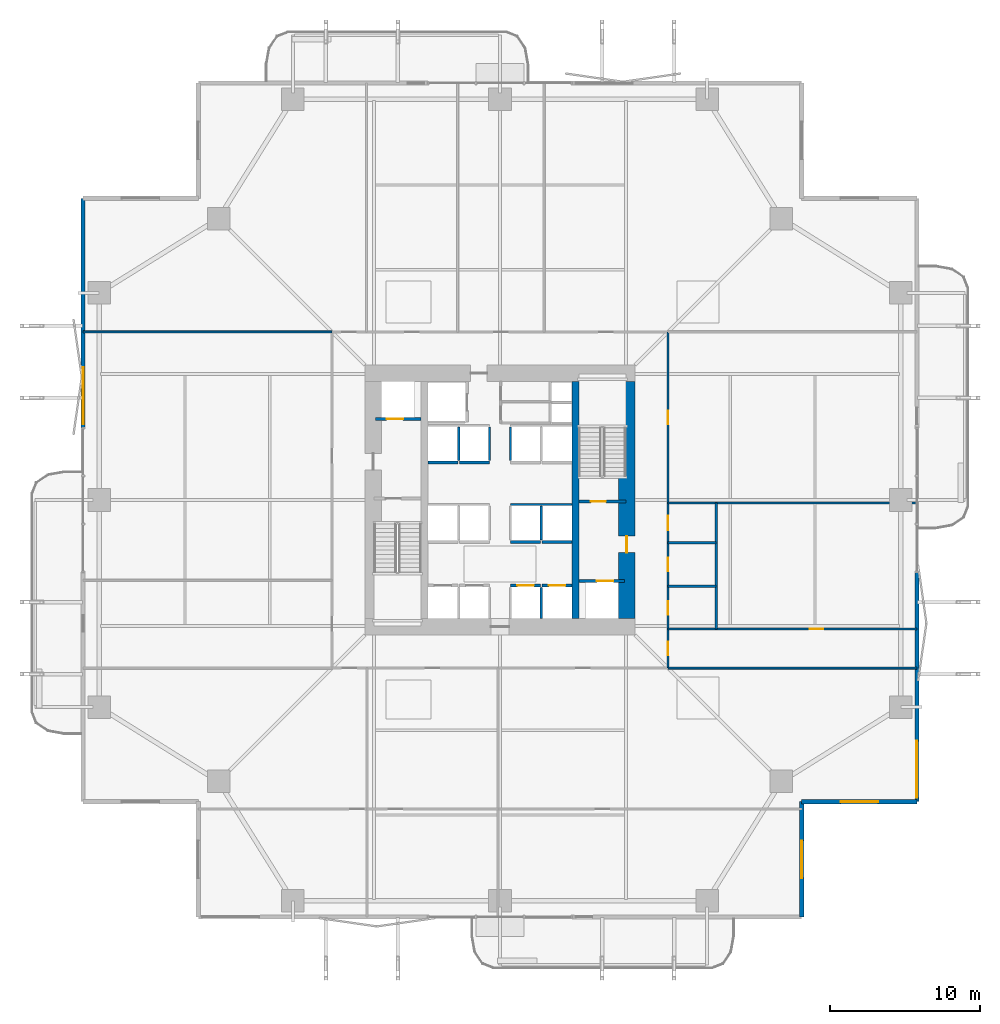
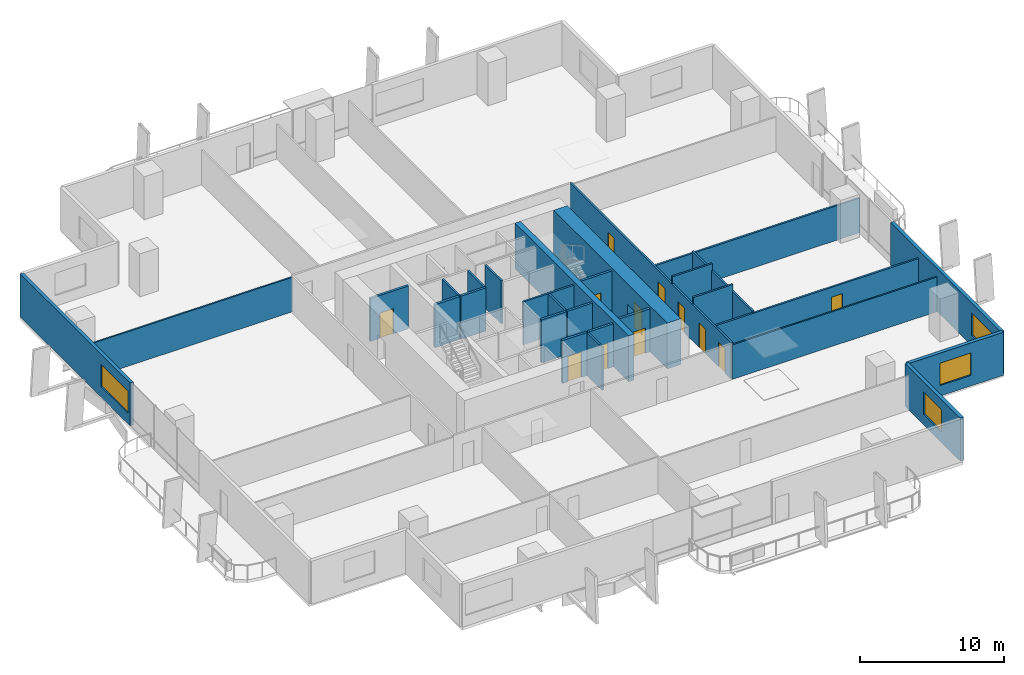
# One storey, part 18 of 24: 29 walls, 12 doors, 4 windows, 16 openings.
"""IFC4 building model written with IfcOpenShell, lengths in metres."""

from ifc_helpers import new_model, si_unit, direction, frame, frame_2d, origin, place, context, subcontext, project, spatial, rectangle, extrude, material, layer, layer_set, type_object, element, fill, save


model = new_model("IFC4")

# Units and contexts
model_context = context("Model", 3, precision=1e-05, world=origin(), true_north=direction((0.0, 1.0)))
body_context = subcontext(model_context, "Body", "Model", "MODEL_VIEW")
ifc_project = project(units=[si_unit("LENGTHUNIT", "METRE"), si_unit("AREAUNIT", "SQUARE_METRE"), si_unit("VOLUMEUNIT", "CUBIC_METRE"), si_unit("PLANEANGLEUNIT", "RADIAN"), si_unit("MASSUNIT", "GRAM", prefix="KILO")], contexts=[model_context])

# Site, building, storey
site_placement = place(None, origin())
site = spatial("IfcSite", under=ifc_project, at=site_placement, CompositionType="ELEMENT")
building_placement = place(site_placement, origin())
building = spatial("IfcBuilding", under=site, at=building_placement, Name="Belovzor Exchange Tower", CompositionType="ELEMENT")
storey_placement = place(building_placement, frame((0.0, 0.0, 33.89990234375)))
storey = spatial("IfcBuildingStorey", under=building, at=storey_placement, Name="L07", CompositionType="ELEMENT", Elevation=33.89990234375)

# Walls
ifc_material_1 = material(Name="Acoustic Plasterboard on Galvanised Studs", Category="gypsum")
ifc_layer_1 = layer(ifc_material_1, 0.1201171875)
ifc_layer_set_1 = layer_set([ifc_layer_1], Name="Acoustic Plasterboard on Galvanised Studs")
wall_type_1 = type_object("IfcWallType", Name="Acoustic Double-Stud Partition Wall 120", PredefinedType="PARTITIONING", material=ifc_layer_set_1)
for number, where, z_axis, x_axis, name in (
    (1, (40.0, 17.60009765625, 0.0), (0.0, 0.0, 1.0), (1.0, 0.0, 0.0), "W-P120 Partition Wall W-L07-END-SE"),
    (2, (1.030029296875, 40.0, 0.0), (0.0, 0.0, 1.0), (1.0, 0.0, 0.0), "W-P120 Partition Wall W-L07-END-NW"),
):
    element("IfcWall", number, at=place(storey_placement, frame(where, z_axis=z_axis, x_axis=x_axis)), inside=storey, type_object=wall_type_1, Name=name, PredefinedType="PARTITIONING", context=body_context, shape_type="SweptSolid", body=[
        extrude(rectangle(XDim=16.570068359375, YDim=0.1201171875, at=frame_2d((8.28515625, 0.0))), origin(), (0.0, 0.0, 1.0), 2.93505859375),
    ])
ifc_material_2 = material(Name="Fire-Rated Gypsum Block and Mineral Wool", Category="gypsum")
ifc_layer_2 = layer(ifc_material_2, 0.14990234375)
ifc_layer_set_2 = layer_set([ifc_layer_2], Name="Fire-Rated Gypsum Block and Mineral Wool")
wall_type_2 = type_object("IfcWallType", Name="Fire-Rated Gypsum Block Corridor Wall 150", PredefinedType="PARTITIONING", material=ifc_layer_set_2)
wall_1_placement = place(storey_placement, frame((43.199951171875, 20.199951171875, 0.0), z_axis=(0.0, 0.0, 1.0), x_axis=(0.0, 1.0, 0.0)))
element("IfcWall", 3, at=wall_1_placement, inside=storey, type_object=wall_type_2, Name="W-P150 Partition Wall W-L07-WCE", PredefinedType="PARTITIONING", context=body_context, shape_type="SweptSolid", body=[
    extrude(rectangle(XDim=8.400146484375, YDim=0.14990234375, at=frame_2d((4.2001953125, 0.0))), origin(), (0.0, 0.0, 1.0), 3.085205078125),
])

# Wall, opening, door
wall_2_placement = place(storey_placement, frame((40.0, 20.199951171875, 0.0), z_axis=(0.0, 0.0, 1.0), x_axis=(1.0, 0.0, 0.0)))
wall_2 = element("IfcWall", 4, at=wall_2_placement, inside=storey, type_object=wall_type_2, Name="W-P150 Partition Wall W-L07-WCS", PredefinedType="PARTITIONING", context=body_context, shape_type="SweptSolid", body=[
    extrude(rectangle(XDim=16.570068359375, YDim=0.14990234375, at=frame_2d((8.28515625, 0.0))), origin(), (0.0, 0.0, 1.0), 2.93505859375),
])
opening_1_placement = place(wall_2_placement, frame((9.43505859375, 0.0, 0.0)))
opening_1 = element("IfcOpeningElement", 5, at=opening_1_placement, cuts=wall_2, Name="Opening D-INT-090", PredefinedType="OPENING", context=body_context, shape_type="SweptSolid", body=[
    extrude(rectangle(XDim=0.89990234375, YDim=2.10009765625, at=frame_2d((0.449951171875, 1.050048828125))), frame((0.0, 0.0849609375, 0.0), z_axis=(0.0, -1.0, 0.0), x_axis=(1.0, 0.0, 0.0)), (0.0, 0.0, 1.0), 0.169921875),
])
ifc_material_3 = material(Name="Veneered Hardwood Acoustic Leaf", Category="wood")
door_type_1 = type_object("IfcDoorType", Name="Trading Suite Acoustic Single Door 900x2100", OperationType="NOTDEFINED", PredefinedType="DOOR", material=ifc_material_3)
door_1_placement = place(opening_1_placement, origin())
door_1 = element("IfcDoor", 6, at=door_1_placement, inside=storey, type_object=door_type_1, Name="D-INT-090 Trading Suite Acoustic Single Door 900x2100", OperationType="SINGLE_SWING_LEFT", OverallHeight=2.10009765625, OverallWidth=0.89990234375, PredefinedType="DOOR", context=body_context, shape_type="SweptSolid", body=[
    extrude(rectangle(XDim=0.89990234375, YDim=2.10009765625, at=frame_2d((0.449951171875, 1.050048828125))), frame((0.0, 0.02490234375, 0.0), z_axis=(0.0, -1.0, 0.0), x_axis=(1.0, 0.0, 0.0)), (0.0, 0.0, 1.0), 0.050048828125),
])
fill(opening_1, door_1)

# Walls
wall_3_placement = place(storey_placement, frame((40.0, 28.60009765625, 0.0), z_axis=(0.0, 0.0, 1.0), x_axis=(1.0, 0.0, 0.0)))
element("IfcWall", 7, at=wall_3_placement, inside=storey, type_object=wall_type_2, Name="W-P150 Partition Wall W-L07-WCN", PredefinedType="PARTITIONING", context=body_context, shape_type="SweptSolid", body=[
    extrude(rectangle(XDim=16.570068359375, YDim=0.14990234375, at=frame_2d((8.28515625, 0.0))), origin(), (0.0, 0.0, 1.0), 2.93505859375),
])
for number, where, z_axis, x_axis, name in (
    (8, (40.0, 23.050048828125, 0.0), (0.0, 0.0, 1.0), (1.0, 0.0, 0.0), "W-P150 Partition Wall W-L07-WCD1"),
    (9, (40.0, 25.949951171875, 0.0), (0.0, 0.0, 1.0), (1.0, 0.0, 0.0), "W-P150 Partition Wall W-L07-WCD2"),
):
    element("IfcWall", number, at=place(storey_placement, frame(where, z_axis=z_axis, x_axis=x_axis)), inside=storey, type_object=wall_type_2, Name=name, PredefinedType="PARTITIONING", context=body_context, shape_type="SweptSolid", body=[
        extrude(rectangle(XDim=3.199951171875, YDim=0.14990234375, at=frame_2d((1.60009765625, 0.0))), origin(), (0.0, 0.0, 1.0), 3.650146484375),
    ])

# Wall, openings, doors
wall_4_placement = place(storey_placement, frame((40.0, 17.60009765625, 0.0), z_axis=(0.0, 0.0, 1.0), x_axis=(0.0, 1.0, 0.0)))
wall_4 = element("IfcWall", 10, at=wall_4_placement, inside=storey, type_object=wall_type_2, Name="W-P150 Partition Wall W-L07-CE", PredefinedType="PARTITIONING", context=body_context, shape_type="SweptSolid", body=[
    extrude(rectangle(XDim=22.39990234375, YDim=0.14990234375, at=frame_2d((11.199951171875, 0.0))), origin(), (0.0, 0.0, 1.0), 3.085205078125),
])
opening_2_placement = place(wall_4_placement, frame((0.85009765625, 0.0, 0.0)))
opening_2 = element("IfcOpeningElement", 11, at=opening_2_placement, cuts=wall_4, Name="Opening D-INT-090", PredefinedType="OPENING", context=body_context, shape_type="SweptSolid", body=[
    extrude(rectangle(XDim=0.89990234375, YDim=2.10009765625, at=frame_2d((0.449951171875, 1.050048828125))), frame((0.0, 0.0849609375, 0.0), z_axis=(0.0, -1.0, 0.0), x_axis=(1.0, 0.0, 0.0)), (0.0, 0.0, 1.0), 0.169921875),
])
opening_3_placement = place(wall_4_placement, frame((3.550048828125, 0.0, 0.0)))
opening_3 = element("IfcOpeningElement", 12, at=opening_3_placement, cuts=wall_4, Name="Opening D-FD60-090", PredefinedType="OPENING", context=body_context, shape_type="SweptSolid", body=[
    extrude(rectangle(XDim=0.89990234375, YDim=2.10009765625, at=frame_2d((0.449951171875, 1.050048828125))), frame((0.0, 0.0849609375, 0.0), z_axis=(0.0, -1.0, 0.0), x_axis=(1.0, 0.0, 0.0)), (0.0, 0.0, 1.0), 0.169921875),
])
opening_4_placement = place(wall_4_placement, frame((6.449951171875, 0.0, 0.0)))
opening_4 = element("IfcOpeningElement", 13, at=opening_4_placement, cuts=wall_4, Name="Opening D-FD60-090", PredefinedType="OPENING", context=body_context, shape_type="SweptSolid", body=[
    extrude(rectangle(XDim=0.89990234375, YDim=2.10009765625, at=frame_2d((0.449951171875, 1.050048828125))), frame((0.0, 0.0849609375, 0.0), z_axis=(0.0, -1.0, 0.0), x_axis=(1.0, 0.0, 0.0)), (0.0, 0.0, 1.0), 0.169921875),
])
opening_5_placement = place(wall_4_placement, frame((9.199951171875, 0.0, 0.0)))
opening_5 = element("IfcOpeningElement", 14, at=opening_5_placement, cuts=wall_4, Name="Opening D-FD60-095", PredefinedType="OPENING", context=body_context, shape_type="SweptSolid", body=[
    extrude(rectangle(XDim=0.949951171875, YDim=2.10009765625, at=frame_2d((0.47509765625, 1.050048828125))), frame((0.0, 0.0849609375, 0.0), z_axis=(0.0, -1.0, 0.0), x_axis=(1.0, 0.0, 0.0)), (0.0, 0.0, 1.0), 0.169921875),
])
opening_6_placement = place(wall_4_placement, frame((16.25, 0.0, 0.0)))
opening_6 = element("IfcOpeningElement", 15, at=opening_6_placement, cuts=wall_4, Name="Opening D-INT-090", PredefinedType="OPENING", context=body_context, shape_type="SweptSolid", body=[
    extrude(rectangle(XDim=0.89990234375, YDim=2.10009765625, at=frame_2d((0.449951171875, 1.050048828125))), frame((0.0, 0.0849609375, 0.0), z_axis=(0.0, -1.0, 0.0), x_axis=(1.0, 0.0, 0.0)), (0.0, 0.0, 1.0), 0.169921875),
])
ifc_material_4 = material(Name="Moisture-Resistant Timber Fire Leaf", Category="wood")
door_type_2 = type_object("IfcDoorType", Name="Accessible Restroom Wide Fire Door 950x2100", OperationType="NOTDEFINED", PredefinedType="DOOR", material=ifc_material_4)
door_2_placement = place(opening_5_placement, origin())
door_2 = element("IfcDoor", 16, at=door_2_placement, inside=storey, type_object=door_type_2, Name="D-FD60-095 Accessible Restroom Wide Fire Door 950x2100", OperationType="SINGLE_SWING_LEFT", OverallHeight=2.10009765625, OverallWidth=0.949951171875, PredefinedType="DOOR", context=body_context, shape_type="SweptSolid", body=[
    extrude(rectangle(XDim=0.949951171875, YDim=2.10009765625, at=frame_2d((0.47509765625, 1.050048828125))), frame((0.0, 0.02490234375, 0.0), z_axis=(0.0, -1.0, 0.0), x_axis=(1.0, 0.0, 0.0)), (0.0, 0.0, 1.0), 0.050048828125),
])
fill(opening_5, door_2)
ifc_material_5 = material(Name="Acoustic Timber Fire Leaf", Category="wood")
door_type_3 = type_object("IfcDoorType", Name="Core Service & Restroom Fire Door 900x2100", OperationType="NOTDEFINED", PredefinedType="DOOR", material=ifc_material_5)
door_3_placement = place(opening_3_placement, origin())
door_3 = element("IfcDoor", 17, at=door_3_placement, inside=storey, type_object=door_type_3, Name="D-FD60-090 Core Service & Restroom Fire Door 900x2100", OperationType="SINGLE_SWING_LEFT", OverallHeight=2.10009765625, OverallWidth=0.89990234375, PredefinedType="DOOR", context=body_context, shape_type="SweptSolid", body=[
    extrude(rectangle(XDim=0.89990234375, YDim=2.10009765625, at=frame_2d((0.449951171875, 1.050048828125))), frame((0.0, 0.02490234375, 0.0), z_axis=(0.0, -1.0, 0.0), x_axis=(1.0, 0.0, 0.0)), (0.0, 0.0, 1.0), 0.050048828125),
])
fill(opening_3, door_3)
door_4_placement = place(opening_4_placement, origin())
door_4 = element("IfcDoor", 18, at=door_4_placement, inside=storey, type_object=door_type_3, Name="D-FD60-090 Core Service & Restroom Fire Door 900x2100", OperationType="SINGLE_SWING_RIGHT", OverallHeight=2.10009765625, OverallWidth=0.89990234375, PredefinedType="DOOR", context=body_context, shape_type="SweptSolid", body=[
    extrude(rectangle(XDim=0.89990234375, YDim=2.10009765625, at=frame_2d((0.449951171875, 1.050048828125))), frame((0.0, 0.02490234375, 0.0), z_axis=(0.0, -1.0, 0.0), x_axis=(1.0, 0.0, 0.0)), (0.0, 0.0, 1.0), 0.050048828125),
])
fill(opening_4, door_4)
door_5_placement = place(opening_2_placement, origin())
door_5 = element("IfcDoor", 19, at=door_5_placement, inside=storey, type_object=door_type_1, Name="D-INT-090 Trading Suite Acoustic Single Door 900x2100", OperationType="SINGLE_SWING_LEFT", OverallHeight=2.10009765625, OverallWidth=0.89990234375, PredefinedType="DOOR", context=body_context, shape_type="SweptSolid", body=[
    extrude(rectangle(XDim=0.89990234375, YDim=2.10009765625, at=frame_2d((0.449951171875, 1.050048828125))), frame((0.0, 0.02490234375, 0.0), z_axis=(0.0, -1.0, 0.0), x_axis=(1.0, 0.0, 0.0)), (0.0, 0.0, 1.0), 0.050048828125),
])
fill(opening_2, door_5)
door_6_placement = place(opening_6_placement, origin())
door_6 = element("IfcDoor", 20, at=door_6_placement, inside=storey, type_object=door_type_1, Name="D-INT-090 Trading Suite Acoustic Single Door 900x2100", OperationType="SINGLE_SWING_RIGHT", OverallHeight=2.10009765625, OverallWidth=0.89990234375, PredefinedType="DOOR", context=body_context, shape_type="SweptSolid", body=[
    extrude(rectangle(XDim=0.89990234375, YDim=2.10009765625, at=frame_2d((0.449951171875, 1.050048828125))), frame((0.0, 0.02490234375, 0.0), z_axis=(0.0, -1.0, 0.0), x_axis=(1.0, 0.0, 0.0)), (0.0, 0.0, 1.0), 0.050048828125),
])
fill(opening_6, door_6)

# Wall, opening, window
ifc_material_6 = material(Name="Precast concrete C40/50", Category="concrete")
ifc_layer_3 = layer(ifc_material_6, 0.280029296875)
ifc_layer_set_3 = layer_set([ifc_layer_3], Name="Precast concrete C40/50")
wall_type_3 = type_object("IfcWallType", Name="Precast Concrete Notched Corner Frame Wall 280", PredefinedType="SOLIDWALL", material=ifc_layer_set_3)
wall_5_placement = place(storey_placement, frame((56.570068359375, 8.699951171875, 0.0), z_axis=(0.0, 0.0, 1.0), x_axis=(-1.0, 0.0, 0.0)))
wall_5 = element("IfcWall", 21, at=wall_5_placement, inside=storey, type_object=wall_type_3, Name="W-CRN280 Precast Concrete Notched Corner Frame Wall 280 L07", PredefinedType="SOLIDWALL", context=body_context, shape_type="SweptSolid", body=[
    extrude(rectangle(XDim=7.670166015625, YDim=0.280029296875, at=frame_2d((3.8349609375, 0.0))), origin(), (0.0, 0.0, 1.0), 3.650146484375),
])
opening_7_placement = place(wall_5_placement, frame((2.5849609375, 0.0, 0.89990234375)))
opening_7 = element("IfcOpeningElement", 22, at=opening_7_placement, cuts=wall_5, Name="Opening WN-CRN250", PredefinedType="OPENING", context=body_context, shape_type="SweptSolid", body=[
    extrude(rectangle(XDim=2.5, YDim=1.89990234375, at=frame_2d((1.25, 0.949951171875))), frame((0.0, 0.14990234375, 0.0), z_axis=(0.0, -1.0, 0.0), x_axis=(1.0, 0.0, 0.0)), (0.0, 0.0, 1.0), 0.300048828125),
])
ifc_material_7 = material(Name="Thermally Broken Aluminium and Triple Glazing", Category="aluminium")
window_type_1 = type_object("IfcWindowType", Name="Streamline Moderne Corner Wrap Ribbon Window 2500x1900", PartitioningType="SINGLE_PANEL", PredefinedType="WINDOW", material=ifc_material_7)
window_1_placement = place(opening_7_placement, origin())
window_1 = element("IfcWindow", 23, at=window_1_placement, inside=storey, type_object=window_type_1, Name="WN-CRN250 Streamline Moderne Corner Wrap Ribbon Window 2500x1900", OverallHeight=1.89990234375, OverallWidth=2.5, PartitioningType="SINGLE_PANEL", PredefinedType="WINDOW", context=body_context, shape_type="SweptSolid", body=[
    extrude(rectangle(XDim=2.5, YDim=1.89990234375, at=frame_2d((1.25, 0.949951171875))), frame((0.0, 0.030029296875, 0.0), z_axis=(0.0, -1.0, 0.0), x_axis=(1.0, 0.0, 0.0)), (0.0, 0.0, 1.0), 0.06005859375),
])
fill(opening_7, window_1)

wall_6_placement = place(storey_placement, frame((48.89990234375, 8.699951171875, 0.0), z_axis=(0.0, 0.0, 1.0), x_axis=(0.0, -1.0, 0.0)))
wall_6 = element("IfcWall", 24, at=wall_6_placement, inside=storey, type_object=wall_type_3, Name="W-CRN280 Precast Concrete Notched Corner Frame Wall 280 L07", PredefinedType="SOLIDWALL", context=body_context, shape_type="SweptSolid", body=[
    extrude(rectangle(XDim=7.669921875, YDim=0.280029296875, at=frame_2d((3.8349609375, 0.0))), origin(), (0.0, 0.0, 1.0), 3.650146484375),
])
opening_8_placement = place(wall_6_placement, frame((2.5849609375, 0.0, 0.89990234375)))
opening_8 = element("IfcOpeningElement", 25, at=opening_8_placement, cuts=wall_6, Name="Opening WN-CRN250", PredefinedType="OPENING", context=body_context, shape_type="SweptSolid", body=[
    extrude(rectangle(XDim=2.5, YDim=1.89990234375, at=frame_2d((1.25, 0.949951171875))), frame((0.0, 0.14990234375, 0.0), z_axis=(0.0, -1.0, 0.0), x_axis=(1.0, 0.0, 0.0)), (0.0, 0.0, 1.0), 0.300048828125),
])
window_2_placement = place(opening_8_placement, origin())
window_2 = element("IfcWindow", 26, at=window_2_placement, inside=storey, type_object=window_type_1, Name="WN-CRN250 Streamline Moderne Corner Wrap Ribbon Window 2500x1900", OverallHeight=1.89990234375, OverallWidth=2.5, PartitioningType="SINGLE_PANEL", PredefinedType="WINDOW", context=body_context, shape_type="SweptSolid", body=[
    extrude(rectangle(XDim=2.5, YDim=1.89990234375, at=frame_2d((1.25, 0.949951171875))), frame((0.0, 0.030029296875, 0.0), z_axis=(0.0, -1.0, 0.0), x_axis=(1.0, 0.0, 0.0)), (0.0, 0.0, 1.0), 0.06005859375),
])
fill(opening_8, window_2)

ifc_material_8 = material(Name="Precast concrete C40/50", Category="concrete")
ifc_layer_4 = layer(ifc_material_8, 0.260009765625)
ifc_layer_set_4 = layer_set([ifc_layer_4], Name="Precast concrete C40/50")
wall_type_4 = type_object("IfcWallType", Name="Precast Concrete Perimeter Loggia Frame Wall 260", PredefinedType="SOLIDWALL", material=ifc_layer_set_4)
wall_7_placement = place(storey_placement, frame((1.030029296875, 33.60009765625, 0.0), z_axis=(0.0, 0.0, 1.0), x_axis=(0.0, 1.0, 0.0)))
wall_7 = element("IfcWall", 27, at=wall_7_placement, inside=storey, type_object=wall_type_4, Name="W-EXT260 Precast Concrete Perimeter Loggia Frame Wall 260 L07", PredefinedType="SOLIDWALL", context=body_context, shape_type="SweptSolid", body=[
    extrude(rectangle(XDim=15.2998046875, YDim=0.260009765625, at=frame_2d((7.64990234375, 0.0))), origin(), (0.0, 0.0, 1.0), 3.650146484375),
])
opening_9_placement = place(wall_7_placement, frame((0.25, 0.0, 0.89990234375)))
opening_9 = element("IfcOpeningElement", 28, at=opening_9_placement, cuts=wall_7, Name="Opening WN-RIB380", PredefinedType="OPENING", context=body_context, shape_type="SweptSolid", body=[
    extrude(rectangle(XDim=3.800048828125, YDim=1.89990234375, at=frame_2d((1.89990234375, 0.949951171875))), frame((0.0, 0.139892578125, 0.0), z_axis=(0.0, -1.0, 0.0), x_axis=(1.0, 0.0, 0.0)), (0.0, 0.0, 1.0), 0.280029296875),
])
ifc_material_9 = material(Name="Thermally Broken Aluminium and Triple Glazing", Category="aluminium")
window_type_2 = type_object("IfcWindowType", Name="Streamline Moderne Horizontal Ribbon Window 3800x1900", PartitioningType="SINGLE_PANEL", PredefinedType="WINDOW", material=ifc_material_9)
window_3_placement = place(opening_9_placement, origin())
window_3 = element("IfcWindow", 29, at=window_3_placement, inside=storey, type_object=window_type_2, Name="WN-RIB380 Streamline Moderne Horizontal Ribbon Window 3800x1900", OverallHeight=1.89990234375, OverallWidth=3.800048828125, PartitioningType="SINGLE_PANEL", PredefinedType="WINDOW", context=body_context, shape_type="SweptSolid", body=[
    extrude(rectangle(XDim=3.800048828125, YDim=1.89990234375, at=frame_2d((1.89990234375, 0.949951171875))), frame((0.0, 0.030029296875, 0.0), z_axis=(0.0, -1.0, 0.0), x_axis=(1.0, 0.0, 0.0)), (0.0, 0.0, 1.0), 0.06005859375),
])
fill(opening_9, window_3)

wall_8_placement = place(storey_placement, frame((56.570068359375, 24.0, 0.0), z_axis=(0.0, 0.0, 1.0), x_axis=(0.0, -1.0, 0.0)))
wall_8 = element("IfcWall", 30, at=wall_8_placement, inside=storey, type_object=wall_type_4, Name="W-EXT260 Precast Concrete Perimeter Loggia Frame Wall 260 L07", PredefinedType="SOLIDWALL", context=body_context, shape_type="SweptSolid", body=[
    extrude(rectangle(XDim=15.300048828125, YDim=0.260009765625, at=frame_2d((7.64990234375, 0.0))), origin(), (0.0, 0.0, 1.0), 3.650146484375),
])
opening_10_placement = place(wall_8_placement, frame((11.25, 0.0, 0.89990234375)))
opening_10 = element("IfcOpeningElement", 31, at=opening_10_placement, cuts=wall_8, Name="Opening WN-RIB380", PredefinedType="OPENING", context=body_context, shape_type="SweptSolid", body=[
    extrude(rectangle(XDim=3.800048828125, YDim=1.89990234375, at=frame_2d((1.89990234375, 0.949951171875))), frame((0.0, 0.139892578125, 0.0), z_axis=(0.0, -1.0, 0.0), x_axis=(1.0, 0.0, 0.0)), (0.0, 0.0, 1.0), 0.280029296875),
])
window_4_placement = place(opening_10_placement, origin())
window_4 = element("IfcWindow", 32, at=window_4_placement, inside=storey, type_object=window_type_2, Name="WN-RIB380 Streamline Moderne Horizontal Ribbon Window 3800x1900", OverallHeight=1.89990234375, OverallWidth=3.800048828125, PartitioningType="SINGLE_PANEL", PredefinedType="WINDOW", context=body_context, shape_type="SweptSolid", body=[
    extrude(rectangle(XDim=3.800048828125, YDim=1.89990234375, at=frame_2d((1.89990234375, 0.949951171875))), frame((0.0, 0.030029296875, 0.0), z_axis=(0.0, -1.0, 0.0), x_axis=(1.0, 0.0, 0.0)), (0.0, 0.0, 1.0), 0.06005859375),
])
fill(opening_10, window_4)

# Walls
ifc_material_10 = material(Name="Concrete C50/60", Category="concrete")
ifc_layer_5 = layer(ifc_material_10, 0.449951171875)
ifc_layer_set_5 = layer_set([ifc_layer_5], Name="Concrete C50/60")
wall_type_5 = type_object("IfcWallType", Name="Reinforced Concrete Core Internal Web Wall 450", PredefinedType="SHEAR", material=ifc_layer_set_5)
wall_9_placement = place(storey_placement, frame((33.824951171875, 20.89990234375, 0.0), z_axis=(0.0, 0.0, 1.0), x_axis=(0.0, 1.0, 0.0)))
element("IfcWall", 33, at=wall_9_placement, inside=storey, type_object=wall_type_5, Name="CW-W045 Core Internal Web Wall L07 ER", PredefinedType="SHEAR", context=body_context, shape_type="SweptSolid", body=[
    extrude(rectangle(XDim=15.800048828125, YDim=0.449951171875, at=frame_2d((7.89990234375, 0.0))), origin(), (0.0, 0.0, 1.0), 3.900146484375),
])
ifc_material_11 = material(Name="Concrete C50/60", Category="concrete")
ifc_layer_6 = layer(ifc_material_11, 0.14990234375)
ifc_layer_set_6 = layer_set([ifc_layer_6], Name="Concrete C50/60")
wall_type_6 = type_object("IfcWallType", Name="Reinforced Concrete Core Riser Shear Wall 150", PredefinedType="SHEAR", material=ifc_layer_set_6)
wall_10_placement = place(storey_placement, frame((31.550048828125, 20.919921875, 0.0), z_axis=(0.0, 0.0, 1.0), x_axis=(0.0, 1.0, 0.0)))
element("IfcWall", 34, at=wall_10_placement, inside=storey, type_object=wall_type_6, Name="W-C150S Core Shaft Wall W-SHD-L07-PLL-4", PredefinedType="SHEAR", context=body_context, shape_type="SweptSolid", body=[
    extrude(rectangle(XDim=2.06005859375, YDim=0.14990234375, at=frame_2d((1.030029296875, 0.0))), origin(), (0.0, 0.0, 1.0), 3.650146484375),
])
wall_11_placement = place(storey_placement, frame((29.5, 28.5, 0.0), z_axis=(0.0, 0.0, 1.0), x_axis=(1.0, 0.0, 0.0)))
element("IfcWall", 35, at=wall_11_placement, inside=storey, type_object=wall_type_6, Name="W-C150S Core Shaft Wall W-SHB-L07-PLM-NE", PredefinedType="SHEAR", context=body_context, shape_type="SweptSolid", body=[
    extrude(rectangle(XDim=4.080078125, YDim=0.14990234375, at=frame_2d((2.0400390625, 0.0))), origin(), (0.0, 0.0, 1.0), 3.650146484375),
])
wall_12_placement = place(storey_placement, frame((31.550048828125, 26.1201171875, 0.0), z_axis=(0.0, 0.0, 1.0), x_axis=(0.0, 1.0, 0.0)))
element("IfcWall", 36, at=wall_12_placement, inside=storey, type_object=wall_type_6, Name="W-C150S Core Shaft Wall W-SHD-L07-PLM-4", PredefinedType="SHEAR", context=body_context, shape_type="SweptSolid", body=[
    extrude(rectangle(XDim=2.27978515625, YDim=0.14990234375, at=frame_2d((1.139892578125, 0.0))), origin(), (0.0, 0.0, 1.0), 3.650146484375),
])
for number, where, z_axis, x_axis, name in (
    (37, (26.050048828125, 31.419921875, 0.0), (0.0, 0.0, 1.0), (0.0, 1.0, 0.0), "W-C150S Core Shaft Wall W-SHD-L07-PLH-1"),
    (38, (28.10009765625, 31.419921875, 0.0), (0.0, 0.0, 1.0), (0.0, 1.0, 0.0), "W-C150S Core Shaft Wall W-SHD-L07-PLH-2"),
    (39, (29.5, 31.419921875, 0.0), (0.0, 0.0, 1.0), (0.0, 1.0, 0.0), "W-C150S Core Shaft Wall W-SHD-L07-PLH-3"),
):
    element("IfcWall", number, at=place(storey_placement, frame(where, z_axis=z_axis, x_axis=x_axis)), inside=storey, type_object=wall_type_6, Name=name, PredefinedType="SHEAR", context=body_context, shape_type="SweptSolid", body=[
        extrude(rectangle(XDim=2.239990234375, YDim=0.14990234375, at=frame_2d((1.1201171875, 0.0))), origin(), (0.0, 0.0, 1.0), 3.650146484375),
    ])

# Wall, opening, door
ifc_material_12 = material(Name="Concrete C50/60", Category="concrete")
ifc_layer_7 = layer(ifc_material_12, 0.199951171875)
ifc_layer_set_7 = layer_set([ifc_layer_7], Name="Concrete C50/60")
wall_type_7 = type_object("IfcWallType", Name="Reinforced Concrete Core Shaft Shear Wall 200", PredefinedType="SHEAR", material=ifc_layer_set_7)
wall_13_placement = place(storey_placement, frame((34.050048828125, 28.699951171875, 0.0), z_axis=(0.0, 0.0, 1.0), x_axis=(1.0, 0.0, 0.0)))
wall_13 = element("IfcWall", 40, at=wall_13_placement, inside=storey, type_object=wall_type_7, Name="W-C200S Core Shaft Wall W-CORE-L07-FFLE2", PredefinedType="SHEAR", context=body_context, shape_type="SweptSolid", body=[
    extrude(rectangle(XDim=3.14990234375, YDim=0.199951171875, at=frame_2d((1.574951171875, 0.0))), origin(), (0.0, 0.0, 1.0), 3.650146484375),
])
opening_11_placement = place(wall_13_placement, frame((0.800048828125, 0.0, 0.0)))
opening_11 = element("IfcOpeningElement", 41, at=opening_11_placement, cuts=wall_13, Name="Opening D-FD90-100", PredefinedType="OPENING", context=body_context, shape_type="SweptSolid", body=[
    extrude(rectangle(XDim=1.0, YDim=2.10009765625, at=frame_2d((0.5, 1.050048828125))), frame((0.0, 0.10986328125, 0.0), z_axis=(0.0, -1.0, 0.0), x_axis=(1.0, 0.0, 0.0)), (0.0, 0.0, 1.0), 0.219970703125),
])
ifc_material_13 = material(Name="Fire-Rated Galvanised Steel Leaf", Category="steel")
door_type_4 = type_object("IfcDoorType", Name="Protected Stairwell Single Fire Door 1000x2100", OperationType="NOTDEFINED", PredefinedType="DOOR", material=ifc_material_13)
door_7_placement = place(opening_11_placement, origin())
door_7 = element("IfcDoor", 42, at=door_7_placement, inside=storey, type_object=door_type_4, Name="D-FD90-100 Protected Stairwell Single Fire Door 1000x2100", OperationType="SINGLE_SWING_LEFT", OverallHeight=2.10009765625, OverallWidth=1.0, PredefinedType="DOOR", context=body_context, shape_type="SweptSolid", body=[
    extrude(rectangle(XDim=1.0, YDim=2.10009765625, at=frame_2d((0.5, 1.050048828125))), frame((0.0, 0.02490234375, 0.0), z_axis=(0.0, -1.0, 0.0), x_axis=(1.0, 0.0, 0.0)), (0.0, 0.0, 1.0), 0.050048828125),
])
fill(opening_11, door_7)

wall_14_placement = place(storey_placement, frame((20.5, 34.199951171875, 0.0), z_axis=(0.0, 0.0, 1.0), x_axis=(1.0, 0.0, 0.0)))
wall_14 = element("IfcWall", 43, at=wall_14_placement, inside=storey, type_object=wall_type_7, Name="W-C200S Core Shaft Wall W-SH-L07-FFL-01", PredefinedType="SHEAR", context=body_context, shape_type="SweptSolid", body=[
    extrude(rectangle(XDim=3.050048828125, YDim=0.199951171875, at=frame_2d((1.52490234375, 0.0))), origin(), (0.0, 0.0, 1.0), 3.650146484375),
])
opening_12_placement = place(wall_14_placement, frame((0.75, 0.0, 0.0)))
opening_12 = element("IfcOpeningElement", 44, at=opening_12_placement, cuts=wall_14, Name="Opening LD-110", PredefinedType="OPENING", context=body_context, shape_type="SweptSolid", body=[
    extrude(rectangle(XDim=1.10009765625, YDim=2.14990234375, at=frame_2d((0.550048828125, 1.074951171875))), frame((0.0, 0.10986328125, 0.0), z_axis=(0.0, -1.0, 0.0), x_axis=(1.0, 0.0, 0.0)), (0.0, 0.0, 1.0), 0.219970703125),
])
ifc_material_14 = material(Name="Stainless Steel Grade 304", Category="steel")
door_type_5 = type_object("IfcDoorType", Name="Automated Stainless Steel Lift Landing Door 1100x2150", OperationType="SLIDING_TO_RIGHT", PredefinedType="DOOR", material=ifc_material_14)
door_8_placement = place(opening_12_placement, origin())
door_8 = element("IfcDoor", 45, at=door_8_placement, inside=storey, type_object=door_type_5, Name="LD-110 Automated Stainless Steel Lift Landing Door 1100x2150", OperationType="SLIDING_TO_RIGHT", OverallHeight=2.14990234375, OverallWidth=1.10009765625, PredefinedType="DOOR", context=body_context, shape_type="SweptSolid", body=[
    extrude(rectangle(XDim=1.10009765625, YDim=2.14990234375, at=frame_2d((0.550048828125, 1.074951171875))), frame((0.0, 0.02490234375, 0.0), z_axis=(0.0, -1.0, 0.0), x_axis=(1.0, 0.0, 0.0)), (0.0, 0.0, 1.0), 0.050048828125),
])
fill(opening_12, door_8)

wall_15_placement = place(storey_placement, frame((34.050048828125, 23.39990234375, 0.0), z_axis=(0.0, 0.0, 1.0), x_axis=(1.0, 0.0, 0.0)))
wall_15 = element("IfcWall", 46, at=wall_15_placement, inside=storey, type_object=wall_type_7, Name="W-C200S Core Shaft Wall W-SH-L07-FFL-02", PredefinedType="SHEAR", context=body_context, shape_type="SweptSolid", body=[
    extrude(rectangle(XDim=3.050048828125, YDim=0.199951171875, at=frame_2d((1.52490234375, 0.0))), origin(), (0.0, 0.0, 1.0), 3.650146484375),
])
opening_13_placement = place(wall_15_placement, frame((1.199951171875, 0.0, 0.0)))
opening_13 = element("IfcOpeningElement", 47, at=opening_13_placement, cuts=wall_15, Name="Opening LD-110", PredefinedType="OPENING", context=body_context, shape_type="SweptSolid", body=[
    extrude(rectangle(XDim=1.10009765625, YDim=2.14990234375, at=frame_2d((0.550048828125, 1.074951171875))), frame((0.0, 0.10986328125, 0.0), z_axis=(0.0, -1.0, 0.0), x_axis=(1.0, 0.0, 0.0)), (0.0, 0.0, 1.0), 0.219970703125),
])
door_9_placement = place(opening_13_placement, origin())
door_9 = element("IfcDoor", 48, at=door_9_placement, inside=storey, type_object=door_type_5, Name="LD-110 Automated Stainless Steel Lift Landing Door 1100x2150", OperationType="SLIDING_TO_RIGHT", OverallHeight=2.14990234375, OverallWidth=1.10009765625, PredefinedType="DOOR", context=body_context, shape_type="SweptSolid", body=[
    extrude(rectangle(XDim=1.10009765625, YDim=2.14990234375, at=frame_2d((0.550048828125, 1.074951171875))), frame((0.0, 0.02490234375, 0.0), z_axis=(0.0, -1.0, 0.0), x_axis=(1.0, 0.0, 0.0)), (0.0, 0.0, 1.0), 0.050048828125),
])
fill(opening_13, door_9)

wall_16_placement = place(storey_placement, frame((29.5, 23.10009765625, 0.0), z_axis=(0.0, 0.0, 1.0), x_axis=(1.0, 0.0, 0.0)))
wall_16 = element("IfcWall", 49, at=wall_16_placement, inside=storey, type_object=wall_type_7, Name="W-C200S Core Shaft Wall W-SH-L07-PL-L3", PredefinedType="SHEAR", context=body_context, shape_type="SweptSolid", body=[
    extrude(rectangle(XDim=2.0, YDim=0.199951171875, at=frame_2d((1.0, 0.0))), origin(), (0.0, 0.0, 1.0), 3.650146484375),
])
opening_14_placement = place(wall_16_placement, frame((0.449951171875, 0.0, 0.0)))
opening_14 = element("IfcOpeningElement", 50, at=opening_14_placement, cuts=wall_16, Name="Opening LD-110", PredefinedType="OPENING", context=body_context, shape_type="SweptSolid", body=[
    extrude(rectangle(XDim=1.10009765625, YDim=2.14990234375, at=frame_2d((0.550048828125, 1.074951171875))), frame((0.0, 0.10986328125, 0.0), z_axis=(0.0, -1.0, 0.0), x_axis=(1.0, 0.0, 0.0)), (0.0, 0.0, 1.0), 0.219970703125),
])
door_10_placement = place(opening_14_placement, origin())
door_10 = element("IfcDoor", 51, at=door_10_placement, inside=storey, type_object=door_type_5, Name="LD-110 Automated Stainless Steel Lift Landing Door 1100x2150", OperationType="SLIDING_TO_RIGHT", OverallHeight=2.14990234375, OverallWidth=1.10009765625, PredefinedType="DOOR", context=body_context, shape_type="SweptSolid", body=[
    extrude(rectangle(XDim=1.10009765625, YDim=2.14990234375, at=frame_2d((0.550048828125, 1.074951171875))), frame((0.0, 0.02490234375, 0.0), z_axis=(0.0, -1.0, 0.0), x_axis=(1.0, 0.0, 0.0)), (0.0, 0.0, 1.0), 0.050048828125),
])
fill(opening_14, door_10)

wall_17_placement = place(storey_placement, frame((31.60009765625, 23.10009765625, 0.0), z_axis=(0.0, 0.0, 1.0), x_axis=(1.0, 0.0, 0.0)))
wall_17 = element("IfcWall", 52, at=wall_17_placement, inside=storey, type_object=wall_type_7, Name="W-C200S Core Shaft Wall W-SH-L07-PL-L4", PredefinedType="SHEAR", context=body_context, shape_type="SweptSolid", body=[
    extrude(rectangle(XDim=2.0, YDim=0.199951171875, at=frame_2d((1.0, 0.0))), origin(), (0.0, 0.0, 1.0), 3.650146484375),
])
opening_15_placement = place(wall_17_placement, frame((0.449951171875, 0.0, 0.0)))
opening_15 = element("IfcOpeningElement", 53, at=opening_15_placement, cuts=wall_17, Name="Opening LD-110", PredefinedType="OPENING", context=body_context, shape_type="SweptSolid", body=[
    extrude(rectangle(XDim=1.10009765625, YDim=2.14990234375, at=frame_2d((0.550048828125, 1.074951171875))), frame((0.0, 0.10986328125, 0.0), z_axis=(0.0, -1.0, 0.0), x_axis=(1.0, 0.0, 0.0)), (0.0, 0.0, 1.0), 0.219970703125),
])
door_11_placement = place(opening_15_placement, origin())
door_11 = element("IfcDoor", 54, at=door_11_placement, inside=storey, type_object=door_type_5, Name="LD-110 Automated Stainless Steel Lift Landing Door 1100x2150", OperationType="SLIDING_TO_RIGHT", OverallHeight=2.14990234375, OverallWidth=1.10009765625, PredefinedType="DOOR", context=body_context, shape_type="SweptSolid", body=[
    extrude(rectangle(XDim=1.10009765625, YDim=2.14990234375, at=frame_2d((0.550048828125, 1.074951171875))), frame((0.0, 0.02490234375, 0.0), z_axis=(0.0, -1.0, 0.0), x_axis=(1.0, 0.0, 0.0)), (0.0, 0.0, 1.0), 0.050048828125),
])
fill(opening_15, door_11)

# Walls
for number, where, z_axis, x_axis, name in (
    (55, (29.5, 26.0, 0.0), (0.0, 0.0, 1.0), (1.0, 0.0, 0.0), "W-C200S Core Shaft Wall W-SH-L07-PL-M3"),
    (56, (31.60009765625, 26.0, 0.0), (0.0, 0.0, 1.0), (1.0, 0.0, 0.0), "W-C200S Core Shaft Wall W-SH-L07-PL-M4"),
    (57, (24.0, 31.300048828125, 0.0), (0.0, 0.0, 1.0), (1.0, 0.0, 0.0), "W-C200S Core Shaft Wall W-SH-L07-PL-H1"),
    (58, (26.10009765625, 31.300048828125, 0.0), (0.0, 0.0, 1.0), (1.0, 0.0, 0.0), "W-C200S Core Shaft Wall W-SH-L07-PL-H2"),
):
    element("IfcWall", number, at=place(storey_placement, frame(where, z_axis=z_axis, x_axis=x_axis)), inside=storey, type_object=wall_type_7, Name=name, PredefinedType="SHEAR", context=body_context, shape_type="SweptSolid", body=[
        extrude(rectangle(XDim=2.0, YDim=0.199951171875, at=frame_2d((1.0, 0.0))), origin(), (0.0, 0.0, 1.0), 3.650146484375),
    ])

# Wall, opening, door
ifc_material_15 = material(Name="Concrete C60/75", Category="concrete")
ifc_layer_8 = layer(ifc_material_15, 1.10009765625)
ifc_layer_set_8 = layer_set([ifc_layer_8], Name="Concrete C60/75")
wall_type_8 = type_object("IfcWallType", Name="Reinforced Concrete Core Shear Wall 1100", PredefinedType="SHEAR", material=ifc_layer_set_8)
wall_18_placement = place(storey_placement, frame((37.25, 20.89990234375, 0.0), z_axis=(0.0, 0.0, 1.0), x_axis=(0.0, 1.0, 0.0)))
wall_18 = element("IfcWall", 59, at=wall_18_placement, inside=storey, type_object=wall_type_8, Name="CW-S110 Core Shear Wall L07 E", PredefinedType="SHEAR", context=body_context, shape_type="SweptSolid", body=[
    extrude(rectangle(XDim=15.800048828125, YDim=1.10009765625, at=frame_2d((7.89990234375, 0.0))), origin(), (0.0, 0.0, 1.0), 3.900146484375),
])
opening_16_placement = place(wall_18_placement, frame((4.39990234375, 0.0, 0.0)))
opening_16 = element("IfcOpeningElement", 60, at=opening_16_placement, cuts=wall_18, Name="Opening D-FD90-110", PredefinedType="OPENING", context=body_context, shape_type="SweptSolid", body=[
    extrude(rectangle(XDim=1.10009765625, YDim=2.14990234375, at=frame_2d((0.550048828125, 1.074951171875))), frame((0.0, 0.56005859375, 0.0), z_axis=(0.0, -1.0, 0.0), x_axis=(1.0, 0.0, 0.0)), (0.0, 0.0, 1.0), 1.1201171875),
])
ifc_material_16 = material(Name="Fire-Rated Galvanised Steel Leaf", Category="steel")
door_type_6 = type_object("IfcDoorType", Name="Protected Escape Vestibule Fire Door 1100x2150", OperationType="NOTDEFINED", PredefinedType="DOOR", material=ifc_material_16)
door_12_placement = place(opening_16_placement, origin())
door_12 = element("IfcDoor", 61, at=door_12_placement, inside=storey, type_object=door_type_6, Name="D-FD90-110 Protected Escape Vestibule Fire Door 1100x2150", OperationType="SINGLE_SWING_RIGHT", OverallHeight=2.14990234375, OverallWidth=1.10009765625, PredefinedType="DOOR", context=body_context, shape_type="SweptSolid", body=[
    extrude(rectangle(XDim=1.10009765625, YDim=2.14990234375, at=frame_2d((0.550048828125, 1.074951171875))), frame((0.0, 0.02490234375, 0.0), z_axis=(0.0, -1.0, 0.0), x_axis=(1.0, 0.0, 0.0)), (0.0, 0.0, 1.0), 0.050048828125),
])
fill(opening_16, door_12)

save(model, "model.ifc")
